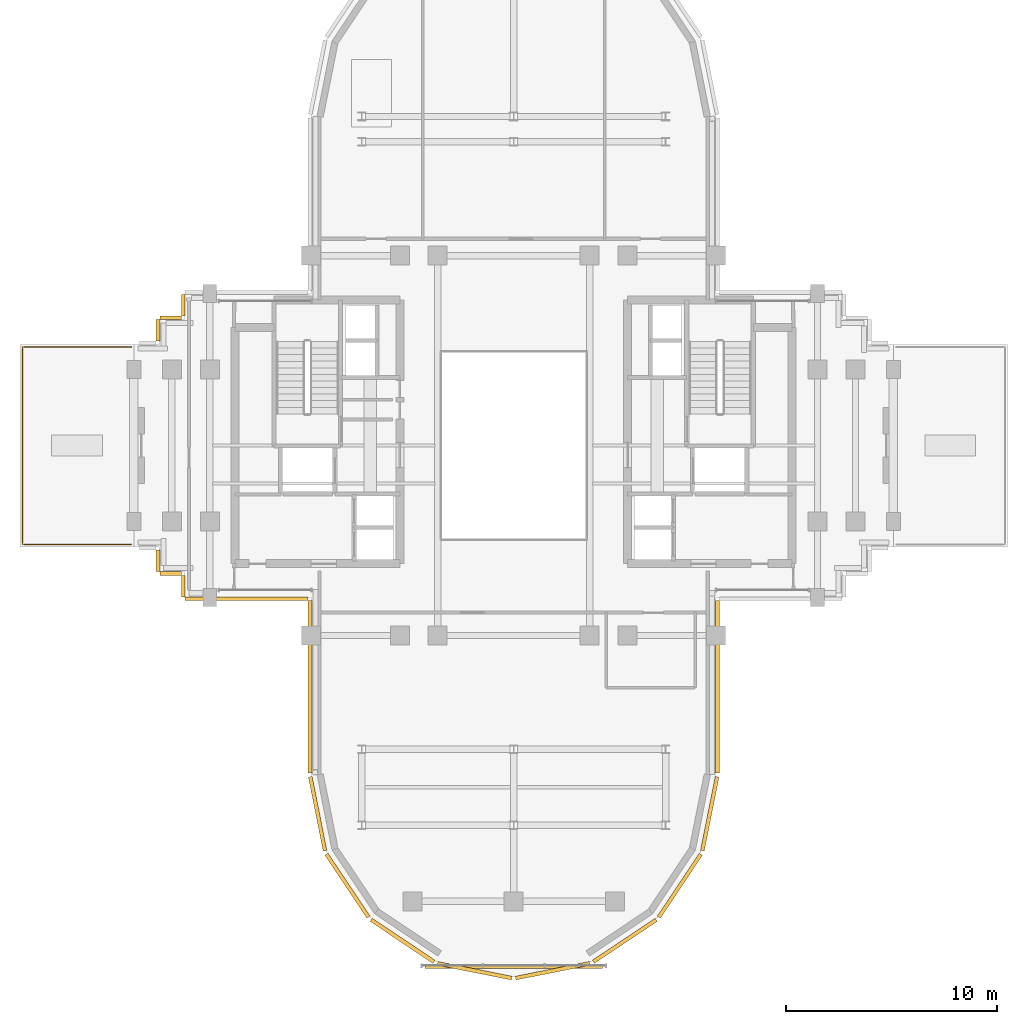
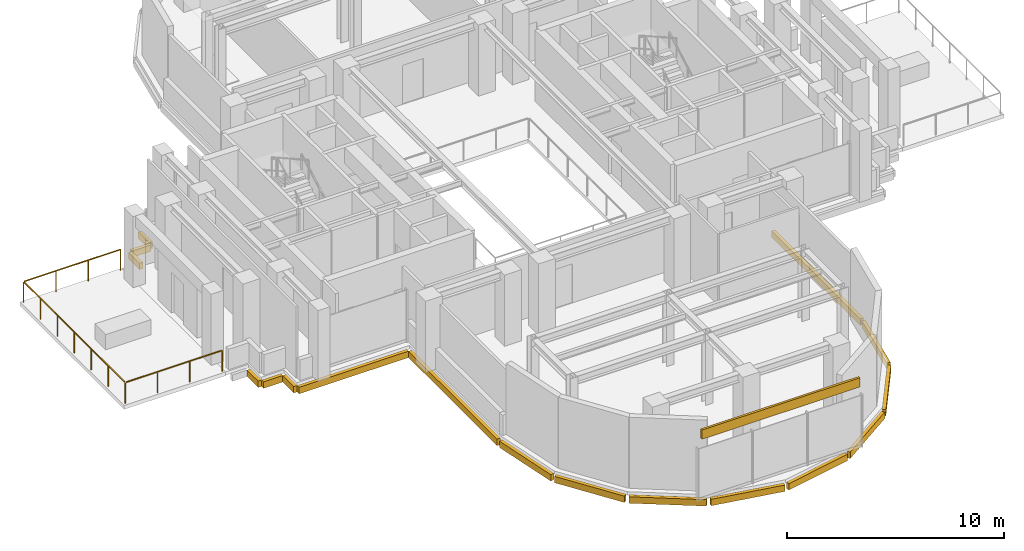
# One storey, part 9 of 12: 18 coverings, 1 railing.
"""IFC4 building model written with IfcOpenShell, lengths in metres."""

from ifc_helpers import new_model, si_unit, direction, frame, origin, origin_2d, place, context, subcontext, project, spatial, rectangle, extrude, source, transform, mapped, material, layer, layer_set, type_object, element, save


model = new_model("IFC4")

# Units and contexts
model_context = context("Model", 3, precision=1e-05, world=origin(), true_north=direction((0.0, 1.0)))
body_context = subcontext(model_context, "Body", "Model", "MODEL_VIEW")
ifc_project = project(units=[si_unit("LENGTHUNIT", "METRE"), si_unit("AREAUNIT", "SQUARE_METRE"), si_unit("VOLUMEUNIT", "CUBIC_METRE"), si_unit("PLANEANGLEUNIT", "RADIAN"), si_unit("MASSUNIT", "GRAM", prefix="KILO")], contexts=[model_context])

# Site, building, storey
site_placement = place(None, origin())
site = spatial("IfcSite", under=ifc_project, at=site_placement, CompositionType="ELEMENT")
building_placement = place(site_placement, origin())
building = spatial("IfcBuilding", under=site, at=building_placement, Name="Keilestroom Media Tower", CompositionType="ELEMENT")
storey_placement = place(building_placement, frame((0.0, 0.0, 156.199951171875)))
storey = spatial("IfcBuildingStorey", under=building, at=storey_placement, Name="L42", CompositionType="ELEMENT", Elevation=156.199951171875)

# Railing
ifc_material_1 = material(Name="Laminated Safety Glass & Bronze Aluminium", Category="aluminium")
railing_type = type_object("IfcRailingType", Name="Terrace-And-Atrium-Guard-Balustrade-GD-SKY", PredefinedType="BALUSTRADE", material=ifc_material_1)
railing_placement = place(storey_placement, frame((-18.1201171875, -4.679931640625, 0.0)))
element("IfcRailing", 1, at=railing_placement, inside=storey, type_object=railing_type, Name="L42 Terrace Perimeter Guard SG42-W", PredefinedType="BALUSTRADE", context=body_context, shape_type="SweptSolid", body=[
    extrude(rectangle(XDim=0.048095703125, YDim=0.048095703125, at=origin_2d()), frame((0.0, 0.0, 1.17578125), z_axis=(-1.0, 0.0, 0.0), x_axis=(0.0, -1.0, 0.0)), (0.0, 0.0, 1.0), 5.11181640625),
    extrude(rectangle(XDim=0.048095703125, YDim=0.048095703125, at=origin_2d()), frame((-5.159912109375, 0.048095703125, 1.17578125), z_axis=(0.0, 1.0, 0.0), x_axis=(-1.0, 0.0, 0.0)), (0.0, 0.0, 1.0), 9.263671875),
    extrude(rectangle(XDim=0.048095703125, YDim=0.048095703125, at=origin_2d()), frame((-5.11181640625, 9.35986328125, 1.17578125), z_axis=(1.0, 0.0, 0.0), x_axis=(0.0, 1.0, 0.0)), (0.0, 0.0, 1.0), 5.11181640625),
    extrude(rectangle(XDim=0.0419921875, YDim=0.0419921875, at=origin_2d()), origin(), (0.0, 0.0, 1.0), 1.143798828125),
    extrude(rectangle(XDim=0.0419921875, YDim=0.0419921875, at=origin_2d()), frame((-1.719970703125, 0.0, 0.0)), (0.0, 0.0, 1.0), 1.143798828125),
    extrude(rectangle(XDim=0.0419921875, YDim=0.0419921875, at=origin_2d()), frame((-3.43994140625, 0.0, 0.0)), (0.0, 0.0, 1.0), 1.143798828125),
    extrude(rectangle(XDim=0.0419921875, YDim=0.0419921875, at=origin_2d()), frame((-5.159912109375, 0.0, 0.0)), (0.0, 0.0, 1.0), 1.143798828125),
    extrude(rectangle(XDim=0.0419921875, YDim=0.0419921875, at=origin_2d()), frame((-5.159912109375, 1.56005859375, 0.0)), (0.0, 0.0, 1.0), 1.143798828125),
    extrude(rectangle(XDim=0.0419921875, YDim=0.0419921875, at=origin_2d()), frame((-5.159912109375, 3.119873046875, 0.0)), (0.0, 0.0, 1.0), 1.143798828125),
    extrude(rectangle(XDim=0.0419921875, YDim=0.0419921875, at=origin_2d()), frame((-5.159912109375, 4.679931640625, 0.0)), (0.0, 0.0, 1.0), 1.143798828125),
    extrude(rectangle(XDim=0.0419921875, YDim=0.0419921875, at=origin_2d()), frame((-5.159912109375, 6.239990234375, 0.0)), (0.0, 0.0, 1.0), 1.143798828125),
    extrude(rectangle(XDim=0.0419921875, YDim=0.0419921875, at=origin_2d()), frame((-5.159912109375, 7.7998046875, 0.0)), (0.0, 0.0, 1.0), 1.143798828125),
    extrude(rectangle(XDim=0.0419921875, YDim=0.0419921875, at=origin_2d()), frame((-5.159912109375, 9.35986328125, 0.0)), (0.0, 0.0, 1.0), 1.143798828125),
    extrude(rectangle(XDim=0.0419921875, YDim=0.0419921875, at=origin_2d()), frame((-3.43994140625, 9.35986328125, 0.0)), (0.0, 0.0, 1.0), 1.143798828125),
    extrude(rectangle(XDim=0.0419921875, YDim=0.0419921875, at=origin_2d()), frame((-1.719970703125, 9.35986328125, 0.0)), (0.0, 0.0, 1.0), 1.143798828125),
    extrude(rectangle(XDim=0.0419921875, YDim=0.0419921875, at=origin_2d()), frame((0.0, 9.35986328125, 0.0)), (0.0, 0.0, 1.0), 1.143798828125),
])

# Coverings
ifc_material_2 = material(Name="Precast concrete C40/50", Category="concrete")
ifc_layer = layer(ifc_material_2, 0.1201171875)
ifc_layer_set = layer_set([ifc_layer], Name="Precast concrete C40/50")
covering_type = type_object("IfcCoveringType", Name="Exterior-Precast-Spandrel-Cladding-Panel-120", PredefinedType="CLADDING", material=ifc_layer_set)
shared_shape_1 = source(origin(), body_context, "Body", "SweptSolid", [
    extrude(rectangle(XDim=8.39990234375, YDim=0.1201171875, at=origin_2d()), origin(), (0.0, 0.0, 1.0), 0.52001953125),
])
covering_1_placement = place(storey_placement, frame((0.0, -24.719970703125, 3.489990234375), z_axis=(0.0, 0.0, 1.0), x_axis=(1.0, 0.0, 0.0)))
element("IfcCovering", 2, at=covering_1_placement, inside=storey, type_object=covering_type, Name="L42 Precast Spandrel Cladding S", PredefinedType="CLADDING", context=body_context, shape_type="MappedRepresentation", body=[
    mapped(shared_shape_1, transform((0.0, 0.0, 0.0), x_axis=(1.0, 0.0, 0.0), y_axis=(0.0, 1.0, 0.0), z_axis=(0.0, 0.0, 1.0), scale=1.0)),
])
shared_shape_2 = source(origin(), body_context, "Body", "SweptSolid", [
    extrude(rectangle(XDim=1.02001953125, YDim=0.179931640625, at=origin_2d()), origin(), (0.0, 0.0, 1.0), 0.360107421875),
])
for number, where, z_axis, x_axis, name in (
    (3, (-15.659912109375, -6.659912109375, -0.5400390625), (0.0, 0.0, 1.0), (0.0, 1.0, 0.0), "L42 Precast Slab-Edge Fascia Cornice 17"),
    (4, (-16.260009765625, -6.06005859375, -0.5400390625), (0.0, 0.0, 1.0), (-1.0, 0.0, 0.0), "L42 Precast Slab-Edge Fascia Cornice 18"),
    (5, (-16.860107421875, -5.4599609375, -0.5400390625), (0.0, 0.0, 1.0), (0.0, 1.0, 0.0), "L42 Precast Slab-Edge Fascia Cornice 19"),
    (6, (-16.860107421875, 5.4599609375, -0.5400390625), (0.0, 0.0, 1.0), (0.0, 1.0, 0.0), "L42 Precast Slab-Edge Fascia Cornice 22"),
    (7, (-16.260009765625, 6.06005859375, -0.5400390625), (0.0, 0.0, 1.0), (1.0, 0.0, 0.0), "L42 Precast Slab-Edge Fascia Cornice 23"),
    (8, (-15.659912109375, 6.659912109375, -0.5400390625), (0.0, 0.0, 1.0), (0.0, 1.0, 0.0), "L42 Precast Slab-Edge Fascia Cornice 24"),
):
    element("IfcCovering", number, at=place(storey_placement, frame(where, z_axis=z_axis, x_axis=x_axis)), inside=storey, type_object=covering_type, Name=name, PredefinedType="CLADDING", context=body_context, shape_type="MappedRepresentation", body=[
        mapped(shared_shape_2, transform((0.0, 0.0, 0.0), x_axis=(1.0, 0.0, 0.0), y_axis=(0.0, 1.0, 0.0), z_axis=(0.0, 0.0, 1.0), scale=1.0)),
    ])
shared_shape_3 = source(origin(), body_context, "Body", "SweptSolid", [
    extrude(rectangle(XDim=8.166015625, YDim=0.179931640625, at=origin_2d()), origin(), (0.0, 0.0, 1.0), 0.360107421875),
])
for number, where, z_axis, x_axis, name in (
    (9, (9.659912109375, -11.43310546875, -0.5400390625), (0.0, 0.0, 1.0), (0.0, -1.0, 0.0), "L42 Precast Slab-Edge Fascia Cornice 06"),
    (10, (-9.659912109375, -11.43310546875, -0.5400390625), (0.0, 0.0, 1.0), (0.0, 1.0, 0.0), "L42 Precast Slab-Edge Fascia Cornice 15"),
):
    element("IfcCovering", number, at=place(storey_placement, frame(where, z_axis=z_axis, x_axis=x_axis)), inside=storey, type_object=covering_type, Name=name, PredefinedType="CLADDING", context=body_context, shape_type="MappedRepresentation", body=[
        mapped(shared_shape_3, transform((0.0, 0.0, 0.0), x_axis=(1.0, 0.0, 0.0), y_axis=(0.0, 1.0, 0.0), z_axis=(0.0, 0.0, 1.0), scale=1.0)),
    ])
shared_shape_4 = source(origin(), body_context, "Body", "SweptSolid", [
    extrude(rectangle(XDim=3.58349609375, YDim=0.179931640625, at=origin_2d()), origin(), (0.0, 0.0, 1.0), 0.360107421875),
])
for number, where, z_axis, x_axis, name in (
    (11, (9.29296875, -17.45166015625, -0.5400390625), (0.0, 0.0, 1.0), (-0.195098880975, -0.980783577882, 0.0), "L42 Precast Slab-Edge Fascia Cornice 07"),
    (12, (-9.29296875, -17.45166015625, -0.5400390625), (0.0, 0.0, 1.0), (-0.195098880975, 0.980783577882, 0.0), "L42 Precast Slab-Edge Fascia Cornice 14"),
):
    element("IfcCovering", number, at=place(storey_placement, frame(where, z_axis=z_axis, x_axis=x_axis)), inside=storey, type_object=covering_type, Name=name, PredefinedType="CLADDING", context=body_context, shape_type="MappedRepresentation", body=[
        mapped(shared_shape_4, transform((0.0, 0.0, 0.0), x_axis=(1.0, 0.0, 0.0), y_axis=(0.0, 1.0, 0.0), z_axis=(0.0, 0.0, 1.0), scale=1.0)),
    ])
shared_shape_5 = source(origin(), body_context, "Body", "SweptSolid", [
    extrude(rectangle(XDim=3.589599609375, YDim=0.179931640625, at=origin_2d()), origin(), (0.0, 0.0, 1.0), 0.360107421875),
])
for number, where, z_axis, x_axis, name in (
    (13, (7.878662109375, -20.8642578125, -0.5400390625), (0.0, 0.0, 1.0), (-0.555574586577, -0.831466703332, 0.0), "L42 Precast Slab-Edge Fascia Cornice 08"),
    (14, (5.264404296875, -23.478515625, -0.5400390625), (0.0, 0.0, 1.0), (-0.831466703332, -0.555574586577, 0.0), "L42 Precast Slab-Edge Fascia Cornice 09"),
    (15, (1.8486328125, -24.893310546875, -0.5400390625), (0.0, 0.0, 1.0), (-0.980783577882, -0.195098880975, 0.0), "L42 Precast Slab-Edge Fascia Cornice 10"),
    (16, (-1.8486328125, -24.893310546875, -0.5400390625), (0.0, 0.0, 1.0), (-0.980783577882, 0.195098880975, 0.0), "L42 Precast Slab-Edge Fascia Cornice 11"),
    (17, (-5.264404296875, -23.478515625, -0.5400390625), (0.0, 0.0, 1.0), (-0.831466703332, 0.555574586577, 0.0), "L42 Precast Slab-Edge Fascia Cornice 12"),
    (18, (-7.878662109375, -20.8642578125, -0.5400390625), (0.0, 0.0, 1.0), (-0.555574586577, 0.831466703332, 0.0), "L42 Precast Slab-Edge Fascia Cornice 13"),
):
    element("IfcCovering", number, at=place(storey_placement, frame(where, z_axis=z_axis, x_axis=x_axis)), inside=storey, type_object=covering_type, Name=name, PredefinedType="CLADDING", context=body_context, shape_type="MappedRepresentation", body=[
        mapped(shared_shape_5, transform((0.0, 0.0, 0.0), x_axis=(1.0, 0.0, 0.0), y_axis=(0.0, 1.0, 0.0), z_axis=(0.0, 0.0, 1.0), scale=1.0)),
    ])
shared_shape_6 = source(origin(), body_context, "Body", "SweptSolid", [
    extrude(rectangle(XDim=5.820068359375, YDim=0.179931640625, at=origin_2d()), origin(), (0.0, 0.0, 1.0), 0.360107421875),
])
covering_2_placement = place(storey_placement, frame((-12.659912109375, -7.260009765625, -0.5400390625), z_axis=(0.0, 0.0, 1.0), x_axis=(-1.0, 0.0, 0.0)))
element("IfcCovering", 19, at=covering_2_placement, inside=storey, type_object=covering_type, Name="L42 Precast Slab-Edge Fascia Cornice 16", PredefinedType="CLADDING", context=body_context, shape_type="MappedRepresentation", body=[
    mapped(shared_shape_6, transform((0.0, 0.0, 0.0), x_axis=(1.0, 0.0, 0.0), y_axis=(0.0, 1.0, 0.0), z_axis=(0.0, 0.0, 1.0), scale=1.0)),
])

save(model, "model.ifc")
